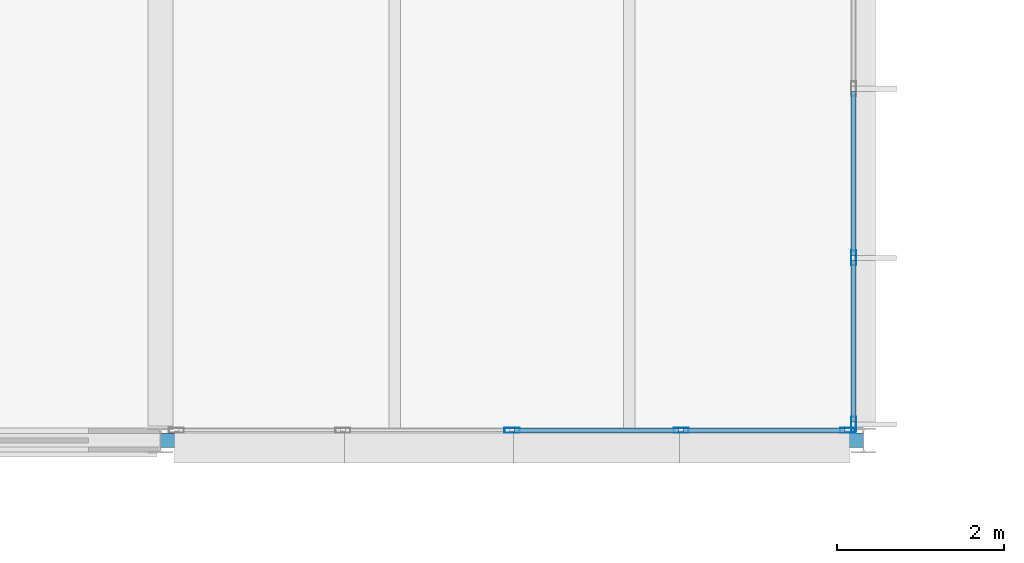
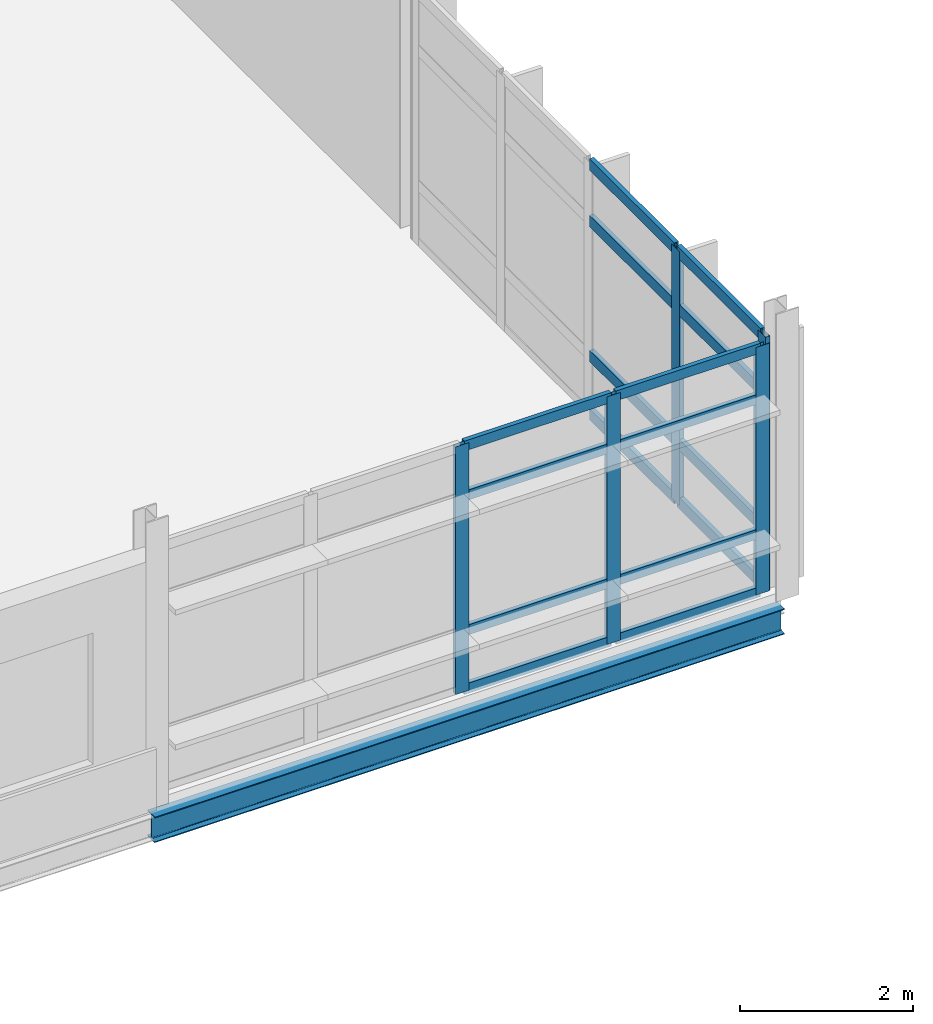
# One storey, part 17 of 103: 21 members, 1 beam, 2 elements without a shape of their own.
"""IFC4 building model written with IfcOpenShell, lengths in metres."""

import ifcopenshell
import ifcopenshell.guid

model = None  # the IFC model being written
_history = None  # IfcOwnerHistory: only IFC2X3 demands one
_inside = {}  # id of a spatial element -> (the spatial element, [elements in it])
_under = {}  # id of a project, library or spatial element -> (it, [spatial elements below it])
_declared = {}  # id of a project -> (the project, [libraries it declares])
_typed = {}  # id of a type object -> (the type object, [elements of that type])
_made_of = {}  # id of a material, layer set ... -> (it, [elements and type objects made of it])


def new_model(schema):
    """Start an empty IFC model of exactly this schema.

    Asked for "IFC4X3", IfcOpenShell would pick the latest addendum, in which some entities
    have other attributes; the version numbers below select the first issue.
    IFC2X3 requires an IfcOwnerHistory on every rooted entity: one is made here for all.
    """
    global model, _history
    if schema == "IFC4X3":
        model = ifcopenshell.file(schema_version=(4, 3, 0, 0))
    else:
        model = ifcopenshell.file(schema=schema)
    _inside.clear()
    _under.clear()
    _declared.clear()
    _typed.clear()
    _made_of.clear()
    _history = None
    if model.schema == "IFC2X3":
        org = make("IfcOrganization", Name="unknown")
        user = make(
            "IfcPersonAndOrganization",
            ThePerson=make("IfcPerson", FamilyName="unknown"),
            TheOrganization=org,
        )
        app = make(
            "IfcApplication",
            ApplicationDeveloper=org,
            Version="unknown",
            ApplicationFullName="unknown",
            ApplicationIdentifier="unknown",
        )
        _history = make(
            "IfcOwnerHistory",
            OwningUser=user,
            OwningApplication=app,
            ChangeAction="ADDED",
            CreationDate=0,
        )
    return model


def make(cls, **values):
    """One entity of the class cls with the attributes given. An attribute that is None is left unset."""
    return model.create_entity(
        cls, **{name: value for name, value in values.items() if value is not None}
    )


def rooted(cls, **values):
    """An entity with a GlobalId (a new one), such as an element, a storey or a relation."""
    return make(cls, GlobalId=ifcopenshell.guid.new(), OwnerHistory=_history, **values)


def si_unit(unit_type, name, prefix=None):
    """IfcSIUnit, for example si_unit("LENGTHUNIT", "METRE", prefix="MILLI")."""
    return make("IfcSIUnit", UnitType=unit_type, Prefix=prefix, Name=name)


def assignment(units):
    """IfcUnitAssignment: the units of a project."""
    return None if units is None else make("IfcUnitAssignment", Units=units)


def point(xyz):
    """IfcCartesianPoint."""
    return None if xyz is None else make("IfcCartesianPoint", Coordinates=xyz)


def direction(xyz):
    """IfcDirection."""
    return None if xyz is None else make("IfcDirection", DirectionRatios=xyz)


def frame(location, z_axis=None, x_axis=None):
    """IfcAxis2Placement3D, a coordinate frame: its origin and axes. An axis left out is left unset."""
    return make(
        "IfcAxis2Placement3D",
        Location=point(location),
        Axis=direction(z_axis),
        RefDirection=direction(x_axis),
    )


def frame_2d(location, x_axis=None):
    """IfcAxis2Placement2D, a coordinate frame in the plane: its origin and x axis."""
    return make(
        "IfcAxis2Placement2D", Location=point(location), RefDirection=direction(x_axis)
    )


def origin():
    """The frame at (0, 0, 0) with its axes left unset."""
    return frame((0.0, 0.0, 0.0))


def origin_2d():
    """The frame at (0, 0) in the plane with its x axis left unset."""
    return frame_2d((0.0, 0.0))


def place(relative_to, where):
    """IfcLocalPlacement: puts the frame where relative to a parent placement (None: the world)."""
    return make(
        "IfcLocalPlacement", PlacementRelTo=relative_to, RelativePlacement=where
    )


def context(
    kind, dimensions, precision=None, world=None, true_north=None, identifier=None
):
    """IfcGeometricRepresentationContext, for example the 3D "Model" context."""
    return make(
        "IfcGeometricRepresentationContext",
        ContextIdentifier=identifier,
        ContextType=kind,
        CoordinateSpaceDimension=dimensions,
        Precision=precision,
        WorldCoordinateSystem=world,
        TrueNorth=true_north,
    )


def subcontext(parent, identifier, kind, view, scale=None):
    """IfcGeometricRepresentationSubContext, for example "Body" below "Model"."""
    return make(
        "IfcGeometricRepresentationSubContext",
        ContextIdentifier=identifier,
        ContextType=kind,
        ParentContext=parent,
        TargetScale=scale,
        TargetView=view,
    )


def project(units=None, contexts=None):
    """IfcProject with its units and contexts."""
    return rooted(
        "IfcProject",
        Name="project",
        RepresentationContexts=contexts,
        UnitsInContext=assignment(units),
    )


def spatial(cls, under=None, at=None, **own):
    """A site, building, storey or space (cls), placed at a placement, below another one or the project."""
    s = rooted(cls, ObjectPlacement=at, **own)
    if under is not None:
        _under.setdefault(under.id(), (under, []))[1].append(s)
    return s


def profile(cls, at=None, kind="AREA", **sizes):
    """A parametric profile (cls). Its sizes go by their IFC names, for example OverallWidth=200.0."""
    return make(cls, ProfileType=kind, Position=at, **sizes)


def hollow_rectangle(**sizes):
    """IfcRectangleHollowProfileDef."""
    return profile("IfcRectangleHollowProfileDef", **sizes)


def i_section(**sizes):
    """IfcIShapeProfileDef."""
    return profile("IfcIShapeProfileDef", **sizes)


def extrude(swept, where, along, depth):
    """IfcExtrudedAreaSolid: the profile swept, set in the frame where, extruded along a direction by depth."""
    return make(
        "IfcExtrudedAreaSolid",
        SweptArea=swept,
        Position=where,
        ExtrudedDirection=direction(along),
        Depth=depth,
    )


def shape(context_of_items, identifier, shape_type, items):
    """IfcShapeRepresentation: the items that make up one representation, for example the "Body"."""
    return make(
        "IfcShapeRepresentation",
        ContextOfItems=context_of_items,
        RepresentationIdentifier=identifier,
        RepresentationType=shape_type,
        Items=items,
    )


def material(Name=None, Category=None):
    """IfcMaterial."""
    return make("IfcMaterial", Name=Name, Category=Category)


def material_profile(
    of_material, cross_section, Name=None, Category=None, Priority=None
):
    """IfcMaterialProfile: a cross section and its material."""
    return make(
        "IfcMaterialProfile",
        Name=Name,
        Material=of_material,
        Profile=cross_section,
        Priority=Priority,
        Category=Category,
    )


def profile_set(profiles, Name=None, composite=None):
    """IfcMaterialProfileSet."""
    return make(
        "IfcMaterialProfileSet",
        Name=Name,
        MaterialProfiles=profiles,
        CompositeProfile=composite,
    )


def made_of(thing, what):
    """Note that an element or type object is made of a material, layer set ...; save() writes the relation."""
    if what is not None:
        _made_of.setdefault(what.id(), (what, []))[1].append(thing)
    return thing


def type_object(cls, material=None, **own):
    """A type object (cls), such as IfcWallType, which elements share."""
    return made_of(rooted(cls, **own), material)


def element(
    cls,
    number,
    at=None,
    inside=None,
    cuts=None,
    type_object=None,
    material=None,
    context=None,
    identifier="Body",
    shape_type=None,
    held_by="IfcProductDefinitionShape",
    body=None,
    shapes=None,
    **own,
):
    """One element of the class cls, such as IfcWall. Its Tag is "e" and its number.

    at: its placement. inside: the storey or other place that contains it. cuts: it is an
    opening in that element (IfcRelVoidsElement). A single representation is given by context,
    identifier, shape_type and body (its items); several are given by shapes. held_by: the class
    of the entity that holds the representations. save() writes the other relations.
    """
    e = rooted(cls, Tag="e%d" % number, ObjectPlacement=at, **own)
    if body is not None:
        shapes = [shape(context, identifier, shape_type, body)]
    if shapes is not None:
        e.Representation = make(held_by, Representations=shapes)
    if inside is not None:
        _inside.setdefault(inside.id(), (inside, []))[1].append(e)
    if cuts is not None:
        rooted(
            "IfcRelVoidsElement", RelatingBuildingElement=cuts, RelatedOpeningElement=e
        )
    if type_object is not None:
        _typed.setdefault(type_object.id(), (type_object, []))[1].append(e)
    return made_of(e, material)


def aggregate(whole, parts):
    """IfcRelAggregates: a whole, such as a stair, and the parts it consists of."""
    return rooted("IfcRelAggregates", RelatingObject=whole, RelatedObjects=parts)


def save(model, path):
    """Write the relations noted so far, then the file.

    IfcRelAggregates (storeys below a building ...), IfcRelContainedInSpatialStructure (elements
    in a storey), IfcRelDefinesByType, IfcRelAssociatesMaterial and IfcRelDeclares: one each for
    every whole, place, type object, material and project.
    """
    for whole, parts in _under.values():
        aggregate(whole, parts)
    for where, things in _inside.values():
        rooted(
            "IfcRelContainedInSpatialStructure",
            RelatedElements=things,
            RelatingStructure=where,
        )
    for kind, things in _typed.values():
        rooted("IfcRelDefinesByType", RelatedObjects=things, RelatingType=kind)
    for what, things in _made_of.values():
        rooted("IfcRelAssociatesMaterial", RelatedObjects=things, RelatingMaterial=what)
    for by, libraries in _declared.values():
        rooted("IfcRelDeclares", RelatingContext=by, RelatedDefinitions=libraries)
    model.write(path)


model = new_model("IFC4")

# Units and contexts
model_context = context("Model", 3, precision=1e-05, world=origin(), true_north=direction((0.0, 1.0)))
body_context = subcontext(model_context, "Body", "Model", "MODEL_VIEW")
ifc_project = project(units=[si_unit("LENGTHUNIT", "METRE"), si_unit("AREAUNIT", "SQUARE_METRE"), si_unit("VOLUMEUNIT", "CUBIC_METRE"), si_unit("PLANEANGLEUNIT", "RADIAN"), si_unit("MASSUNIT", "GRAM", prefix="KILO")], contexts=[model_context])

# Site, building, storey
site_placement = place(None, origin())
site = spatial("IfcSite", under=ifc_project, at=site_placement, CompositionType="ELEMENT")
building_placement = place(site_placement, origin())
building = spatial("IfcBuilding", under=site, at=building_placement, Name="Mersafa Astral City Hall", CompositionType="ELEMENT")
storey_placement = place(building_placement, frame((0.0, 0.0, 18.0)))
storey = spatial("IfcBuildingStorey", under=building, at=storey_placement, Name="L04", CompositionType="ELEMENT", Elevation=18.0)

# Curtain wall, members
ifc_material_1 = material(Name="Anodised bronze aluminium framing", Category="aluminium")
curtain_wall_type_1 = type_object("IfcCurtainWallType", Name="ENV-CW-4", PredefinedType="USERDEFINED", material=ifc_material_1)
curtain_wall_1_placement = place(storey_placement, origin())
curtain_wall_1 = element("IfcCurtainWall", 1, at=curtain_wall_1_placement, inside=storey, type_object=curtain_wall_type_1, Name="L04 Unitised solar curtain wall 201", ObjectType="UNITISED CURTAIN WALL", PredefinedType="USERDEFINED")
ifc_material_profile_1 = material_profile(ifc_material_1, hollow_rectangle(XDim=0.06005859375, YDim=0.179931640625, WallThickness=0.00390625, at=origin_2d()), Name="RHS 60x180x4")
ifc_profile_set_1 = profile_set([ifc_material_profile_1], Name="Anodised bronze aluminium framing")
member_type_1 = type_object("IfcMemberType", Name="ENV-CW-MUL-1", PredefinedType="MULLION", material=ifc_profile_set_1)
member_1_placement = place(storey_placement, frame((46.199951171875, 92.52001953125, -0.001953125), z_axis=(0.0, 0.0, 1.0), x_axis=(0.0, 1.0, 0.0)))
member_1 = element("IfcMember", 2, at=member_1_placement, type_object=member_type_1, Name="CW-4 mullion 3", PredefinedType="MULLION", context=body_context, shape_type="SweptSolid", body=[
    extrude(hollow_rectangle(XDim=0.06005859375, YDim=0.179931640625, WallThickness=0.00390625, at=origin_2d()), origin(), (0.0, 0.0, 1.0), 3.489013671875),
])
member_2_placement = place(storey_placement, frame((48.218994140625, 92.52001953125, -0.001953125), z_axis=(0.0, 0.0, 1.0), x_axis=(0.0, 1.0, 0.0)))
member_2 = element("IfcMember", 3, at=member_2_placement, type_object=member_type_1, Name="CW-4 mullion 4", PredefinedType="MULLION", context=body_context, shape_type="SweptSolid", body=[
    extrude(hollow_rectangle(XDim=0.06005859375, YDim=0.179931640625, WallThickness=0.00390625, at=origin_2d()), origin(), (0.0, 0.0, 1.0), 3.489013671875),
])
member_3_placement = place(storey_placement, frame((50.2080078125, 92.52001953125, -0.001953125), z_axis=(0.0, 0.0, 1.0), x_axis=(0.0, 1.0, 0.0)))
member_3 = element("IfcMember", 4, at=member_3_placement, type_object=member_type_1, Name="CW-4 mullion 5", PredefinedType="MULLION", context=body_context, shape_type="SweptSolid", body=[
    extrude(hollow_rectangle(XDim=0.06005859375, YDim=0.179931640625, WallThickness=0.00390625, at=origin_2d()), origin(), (0.0, 0.0, 1.0), 3.489013671875),
])

curtain_wall_type_2 = type_object("IfcCurtainWallType", Name="ENV-CW-5", PredefinedType="USERDEFINED", material=ifc_material_1)
curtain_wall_2_placement = place(storey_placement, origin())
curtain_wall_2 = element("IfcCurtainWall", 5, at=curtain_wall_2_placement, inside=storey, type_object=curtain_wall_type_2, Name="L04 Unitised solar curtain wall 202", ObjectType="UNITISED CURTAIN WALL", PredefinedType="USERDEFINED")
member_4_placement = place(storey_placement, frame((50.280029296875, 92.592041015625, -0.001953125), z_axis=(0.0, 0.0, 1.0), x_axis=(-1.0, 0.0, 0.0)))
member_4 = element("IfcMember", 6, at=member_4_placement, type_object=member_type_1, Name="CW-5 mullion 1", PredefinedType="MULLION", context=body_context, shape_type="SweptSolid", body=[
    extrude(hollow_rectangle(XDim=0.06005859375, YDim=0.179931640625, WallThickness=0.00390625, at=origin_2d()), origin(), (0.0, 0.0, 1.0), 3.578857421875),
])
member_5_placement = place(storey_placement, frame((50.280029296875, 94.5810546875, -0.001953125), z_axis=(0.0, 0.0, 1.0), x_axis=(-1.0, 0.0, 0.0)))
member_5 = element("IfcMember", 7, at=member_5_placement, type_object=member_type_1, Name="CW-5 mullion 2", PredefinedType="MULLION", context=body_context, shape_type="SweptSolid", body=[
    extrude(hollow_rectangle(XDim=0.06005859375, YDim=0.179931640625, WallThickness=0.00390625, at=origin_2d()), origin(), (0.0, 0.0, 1.0), 3.578857421875),
])

# Member
ifc_material_profile_2 = material_profile(ifc_material_1, hollow_rectangle(XDim=0.06005859375, YDim=0.139892578125, WallThickness=0.00390625, at=origin_2d()), Name="RHS 60x140x4")
ifc_profile_set_2 = profile_set([ifc_material_profile_2], Name="Anodised bronze aluminium framing")
member_type_2 = type_object("IfcMemberType", Name="ENV-CW-TRN-1", PredefinedType="USERDEFINED", material=ifc_profile_set_2)
member_6_placement = place(storey_placement, frame((46.22998046875, 92.52001953125, 0.028076171875), z_axis=(1.0, 0.0, 0.0), x_axis=(0.0, 1.0, 0.0)))
member_6 = element("IfcMember", 8, at=member_6_placement, type_object=member_type_2, Name="CW-4 transom 3.1", ObjectType="TRANSOM", PredefinedType="USERDEFINED", context=body_context, shape_type="SweptSolid", body=[
    extrude(hollow_rectangle(XDim=0.06005859375, YDim=0.139892578125, WallThickness=0.00390625, at=origin_2d()), origin(), (0.0, 0.0, 1.0), 1.958984375),
])

member_7_placement = place(storey_placement, frame((46.22998046875, 92.52001953125, 0.85009765625), z_axis=(1.0, 0.0, 0.0), x_axis=(0.0, 1.0, 0.0)))
member_7 = element("IfcMember", 9, at=member_7_placement, type_object=member_type_2, Name="CW-4 transom 3.2", ObjectType="TRANSOM", PredefinedType="USERDEFINED", context=body_context, shape_type="SweptSolid", body=[
    extrude(hollow_rectangle(XDim=0.06005859375, YDim=0.139892578125, WallThickness=0.00390625, at=origin_2d()), origin(), (0.0, 0.0, 1.0), 1.958984375),
])

member_8_placement = place(storey_placement, frame((46.22998046875, 92.52001953125, 2.75), z_axis=(1.0, 0.0, 0.0), x_axis=(0.0, 1.0, 0.0)))
member_8 = element("IfcMember", 10, at=member_8_placement, type_object=member_type_2, Name="CW-4 transom 3.3", ObjectType="TRANSOM", PredefinedType="USERDEFINED", context=body_context, shape_type="SweptSolid", body=[
    extrude(hollow_rectangle(XDim=0.06005859375, YDim=0.139892578125, WallThickness=0.00390625, at=origin_2d()), origin(), (0.0, 0.0, 1.0), 1.958984375),
])

member_9_placement = place(storey_placement, frame((46.22998046875, 92.52001953125, 3.45703125), z_axis=(1.0, 0.0, 0.0), x_axis=(0.0, 1.0, 0.0)))
member_9 = element("IfcMember", 11, at=member_9_placement, type_object=member_type_2, Name="CW-4 transom 3.4", ObjectType="TRANSOM", PredefinedType="USERDEFINED", context=body_context, shape_type="SweptSolid", body=[
    extrude(hollow_rectangle(XDim=0.06005859375, YDim=0.139892578125, WallThickness=0.00390625, at=origin_2d()), origin(), (0.0, 0.0, 1.0), 1.958984375),
])

member_10_placement = place(storey_placement, frame((48.2490234375, 92.52001953125, 0.028076171875), z_axis=(1.0, 0.0, 0.0), x_axis=(0.0, 1.0, 0.0)))
member_10 = element("IfcMember", 12, at=member_10_placement, type_object=member_type_2, Name="CW-4 transom 4.1", ObjectType="TRANSOM", PredefinedType="USERDEFINED", context=body_context, shape_type="SweptSolid", body=[
    extrude(hollow_rectangle(XDim=0.06005859375, YDim=0.139892578125, WallThickness=0.00390625, at=origin_2d()), origin(), (0.0, 0.0, 1.0), 1.928955078125),
])

member_11_placement = place(storey_placement, frame((48.2490234375, 92.52001953125, 0.85009765625), z_axis=(1.0, 0.0, 0.0), x_axis=(0.0, 1.0, 0.0)))
member_11 = element("IfcMember", 13, at=member_11_placement, type_object=member_type_2, Name="CW-4 transom 4.2", ObjectType="TRANSOM", PredefinedType="USERDEFINED", context=body_context, shape_type="SweptSolid", body=[
    extrude(hollow_rectangle(XDim=0.06005859375, YDim=0.139892578125, WallThickness=0.00390625, at=origin_2d()), origin(), (0.0, 0.0, 1.0), 1.928955078125),
])

member_12_placement = place(storey_placement, frame((48.2490234375, 92.52001953125, 2.75), z_axis=(1.0, 0.0, 0.0), x_axis=(0.0, 1.0, 0.0)))
member_12 = element("IfcMember", 14, at=member_12_placement, type_object=member_type_2, Name="CW-4 transom 4.3", ObjectType="TRANSOM", PredefinedType="USERDEFINED", context=body_context, shape_type="SweptSolid", body=[
    extrude(hollow_rectangle(XDim=0.06005859375, YDim=0.139892578125, WallThickness=0.00390625, at=origin_2d()), origin(), (0.0, 0.0, 1.0), 1.928955078125),
])

member_13_placement = place(storey_placement, frame((48.2490234375, 92.52001953125, 3.45703125), z_axis=(1.0, 0.0, 0.0), x_axis=(0.0, 1.0, 0.0)))
member_13 = element("IfcMember", 15, at=member_13_placement, type_object=member_type_2, Name="CW-4 transom 4.4", ObjectType="TRANSOM", PredefinedType="USERDEFINED", context=body_context, shape_type="SweptSolid", body=[
    extrude(hollow_rectangle(XDim=0.06005859375, YDim=0.139892578125, WallThickness=0.00390625, at=origin_2d()), origin(), (0.0, 0.0, 1.0), 1.928955078125),
])

aggregate(curtain_wall_1, [member_1, member_2, member_3, member_6, member_7, member_8, member_9, member_10, member_11, member_12, member_13])

ifc_material_profile_3 = material_profile(ifc_material_1, hollow_rectangle(XDim=0.06005859375, YDim=0.159912109375, WallThickness=0.00390625, at=origin_2d()), Name="RHS 60x160x4")
ifc_profile_set_3 = profile_set([ifc_material_profile_3], Name="Anodised bronze aluminium framing")
member_type_3 = type_object("IfcMemberType", Name="ENV-CW-TRN-2", PredefinedType="USERDEFINED", material=ifc_profile_set_3)
member_14_placement = place(storey_placement, frame((50.280029296875, 92.6220703125, 0.028076171875), z_axis=(0.0, 1.0, 0.0), x_axis=(-1.0, 0.0, 0.0)))
member_14 = element("IfcMember", 16, at=member_14_placement, type_object=member_type_3, Name="CW-5 transom 1.1", ObjectType="TRANSOM", PredefinedType="USERDEFINED", context=body_context, shape_type="SweptSolid", body=[
    extrude(hollow_rectangle(XDim=0.06005859375, YDim=0.159912109375, WallThickness=0.00390625, at=origin_2d()), origin(), (0.0, 0.0, 1.0), 1.928955078125),
])

member_15_placement = place(storey_placement, frame((50.280029296875, 92.6220703125, 0.85009765625), z_axis=(0.0, 1.0, 0.0), x_axis=(-1.0, 0.0, 0.0)))
member_15 = element("IfcMember", 17, at=member_15_placement, type_object=member_type_3, Name="CW-5 transom 1.2", ObjectType="TRANSOM", PredefinedType="USERDEFINED", context=body_context, shape_type="SweptSolid", body=[
    extrude(hollow_rectangle(XDim=0.06005859375, YDim=0.159912109375, WallThickness=0.00390625, at=origin_2d()), origin(), (0.0, 0.0, 1.0), 1.928955078125),
])

member_16_placement = place(storey_placement, frame((50.280029296875, 92.6220703125, 2.75), z_axis=(0.0, 1.0, 0.0), x_axis=(-1.0, 0.0, 0.0)))
member_16 = element("IfcMember", 18, at=member_16_placement, type_object=member_type_3, Name="CW-5 transom 1.3", ObjectType="TRANSOM", PredefinedType="USERDEFINED", context=body_context, shape_type="SweptSolid", body=[
    extrude(hollow_rectangle(XDim=0.06005859375, YDim=0.159912109375, WallThickness=0.00390625, at=origin_2d()), origin(), (0.0, 0.0, 1.0), 1.928955078125),
])

member_17_placement = place(storey_placement, frame((50.280029296875, 92.6220703125, 3.547119140625), z_axis=(0.0, 1.0, 0.0), x_axis=(-1.0, 0.0, 0.0)))
member_17 = element("IfcMember", 19, at=member_17_placement, type_object=member_type_3, Name="CW-5 transom 1.4", ObjectType="TRANSOM", PredefinedType="USERDEFINED", context=body_context, shape_type="SweptSolid", body=[
    extrude(hollow_rectangle(XDim=0.06005859375, YDim=0.159912109375, WallThickness=0.00390625, at=origin_2d()), origin(), (0.0, 0.0, 1.0), 1.928955078125),
])

member_18_placement = place(storey_placement, frame((50.280029296875, 94.611083984375, 0.028076171875), z_axis=(0.0, 1.0, 0.0), x_axis=(-1.0, 0.0, 0.0)))
member_18 = element("IfcMember", 20, at=member_18_placement, type_object=member_type_3, Name="CW-5 transom 2.1", ObjectType="TRANSOM", PredefinedType="USERDEFINED", context=body_context, shape_type="SweptSolid", body=[
    extrude(hollow_rectangle(XDim=0.06005859375, YDim=0.159912109375, WallThickness=0.00390625, at=origin_2d()), origin(), (0.0, 0.0, 1.0), 1.958984375),
])

member_19_placement = place(storey_placement, frame((50.280029296875, 94.611083984375, 0.85009765625), z_axis=(0.0, 1.0, 0.0), x_axis=(-1.0, 0.0, 0.0)))
member_19 = element("IfcMember", 21, at=member_19_placement, type_object=member_type_3, Name="CW-5 transom 2.2", ObjectType="TRANSOM", PredefinedType="USERDEFINED", context=body_context, shape_type="SweptSolid", body=[
    extrude(hollow_rectangle(XDim=0.06005859375, YDim=0.159912109375, WallThickness=0.00390625, at=origin_2d()), origin(), (0.0, 0.0, 1.0), 1.958984375),
])

member_20_placement = place(storey_placement, frame((50.280029296875, 94.611083984375, 2.75), z_axis=(0.0, 1.0, 0.0), x_axis=(-1.0, 0.0, 0.0)))
member_20 = element("IfcMember", 22, at=member_20_placement, type_object=member_type_3, Name="CW-5 transom 2.3", ObjectType="TRANSOM", PredefinedType="USERDEFINED", context=body_context, shape_type="SweptSolid", body=[
    extrude(hollow_rectangle(XDim=0.06005859375, YDim=0.159912109375, WallThickness=0.00390625, at=origin_2d()), origin(), (0.0, 0.0, 1.0), 1.958984375),
])

member_21_placement = place(storey_placement, frame((50.280029296875, 94.611083984375, 3.547119140625), z_axis=(0.0, 1.0, 0.0), x_axis=(-1.0, 0.0, 0.0)))
member_21 = element("IfcMember", 23, at=member_21_placement, type_object=member_type_3, Name="CW-5 transom 2.4", ObjectType="TRANSOM", PredefinedType="USERDEFINED", context=body_context, shape_type="SweptSolid", body=[
    extrude(hollow_rectangle(XDim=0.06005859375, YDim=0.159912109375, WallThickness=0.00390625, at=origin_2d()), origin(), (0.0, 0.0, 1.0), 1.958984375),
])

aggregate(curtain_wall_2, [member_4, member_5, member_14, member_15, member_16, member_17, member_18, member_19, member_20, member_21])

# Beam
ifc_material_2 = material(Name="Steel S355", Category="steel")
ifc_material_profile_4 = material_profile(ifc_material_2, i_section(OverallWidth=0.169921875, OverallDepth=0.360107421875, WebThickness=0.008056640625, FlangeThickness=0.0126953125, FilletRadius=0.01806640625, at=origin_2d()), Name="IPE 360")
ifc_profile_set_4 = profile_set([ifc_material_profile_4], Name="Steel S355")
beam_type = type_object("IfcBeamType", Name="STR-BM-SPANDREL-IPE360", PredefinedType="SPANDREL", material=ifc_profile_set_4)
beam_placement = place(storey_placement, frame((42.0029296875, 92.39990234375, -0.364990234375), z_axis=(1.0, 0.0, 0.0), x_axis=(0.0, 1.0, 0.0)))
element("IfcBeam", 24, at=beam_placement, inside=storey, type_object=beam_type, Name="L04 Primary girder X 5-11", PredefinedType="SPANDREL", context=body_context, shape_type="SweptSolid", body=[
    extrude(i_section(OverallWidth=0.169921875, OverallDepth=0.360107421875, WebThickness=0.008056640625, FlangeThickness=0.0126953125, FilletRadius=0.01806640625, at=origin_2d()), origin(), (0.0, 0.0, 1.0), 8.39404296875),
])

save(model, "model.ifc")
